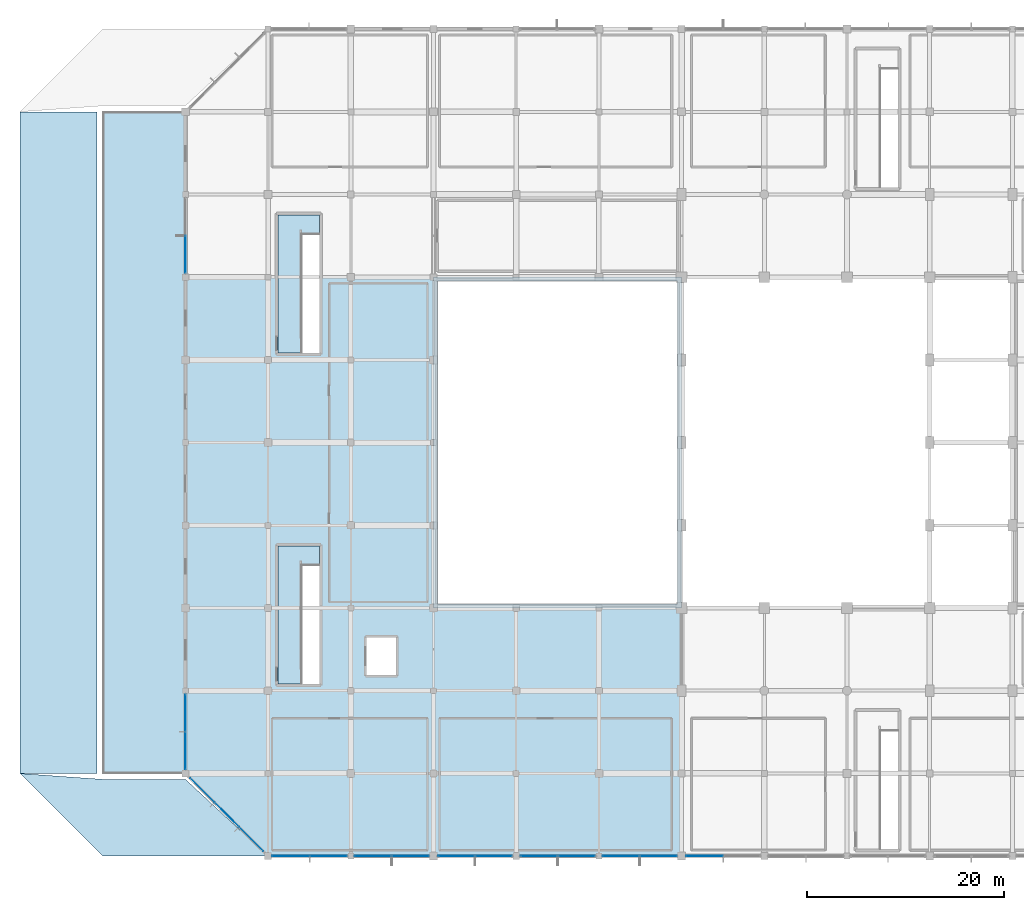
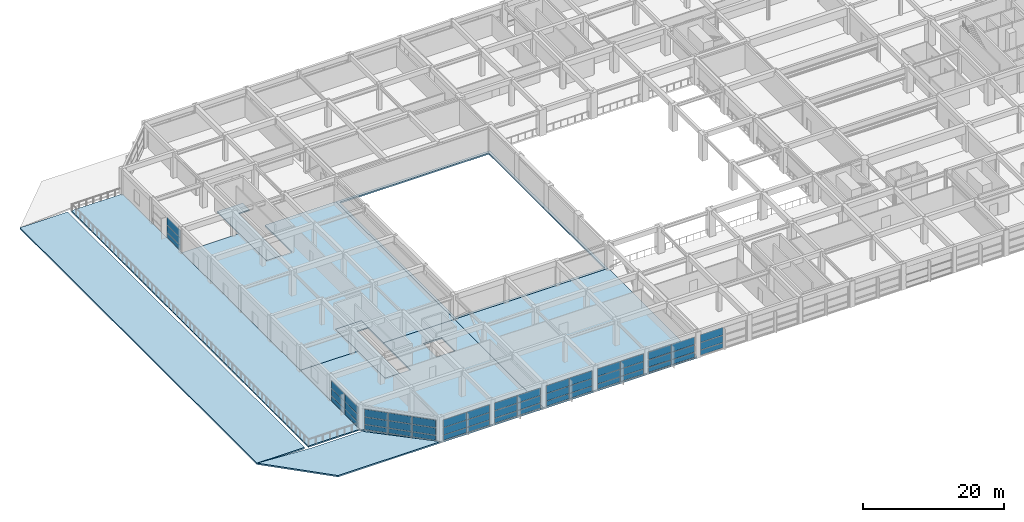
# One storey, part 36 of 56: 51 plates, 9 slabs, 9 elements without a shape of their own.
"""IFC4 building model written with IfcOpenShell, lengths in metres."""

from ifc_helpers import new_model, si_unit, direction, frame, origin, origin_2d, place, context, subcontext, project, spatial, polyline, rectangle, outline, extrude, material, layer, layer_set, type_object, element, aggregate, save


model = new_model("IFC4")

# Units and contexts
model_context = context("Model", 3, precision=1e-05, world=origin(), true_north=direction((0.0, 1.0)))
body_context = subcontext(model_context, "Body", "Model", "MODEL_VIEW")
ifc_project = project(units=[si_unit("LENGTHUNIT", "METRE"), si_unit("AREAUNIT", "SQUARE_METRE"), si_unit("VOLUMEUNIT", "CUBIC_METRE"), si_unit("PLANEANGLEUNIT", "RADIAN"), si_unit("MASSUNIT", "GRAM", prefix="KILO")], contexts=[model_context])

# Site, building, storey
site_placement = place(None, origin())
site = spatial("IfcSite", under=ifc_project, at=site_placement, CompositionType="ELEMENT")
building_placement = place(site_placement, origin())
building = spatial("IfcBuilding", under=site, at=building_placement, Name="Xuanlan Plaza Opera House", CompositionType="ELEMENT")
storey_placement = place(building_placement, frame((0.0, 0.0, 18.89990234375)))
storey = spatial("IfcBuildingStorey", under=building, at=storey_placement, Name="L04", CompositionType="ELEMENT", Elevation=18.89990234375)

# Curtain wall, plates
ifc_material_1 = material(Name="Anodised Aluminium 6063-T6 and Low-E Glass", Category="aluminium")
curtain_wall_type_1 = type_object("IfcCurtainWallType", Name="ENV-CW-CW-06", PredefinedType="USERDEFINED", material=ifc_material_1)
curtain_wall_1_placement = place(storey_placement, origin())
curtain_wall_1 = element("IfcCurtainWall", 1, at=curtain_wall_1_placement, inside=storey, type_object=curtain_wall_type_1, Name="Acoustic Glazed Wall L04-005", ObjectType="ACOUSTIC GLAZED WALL", PredefinedType="USERDEFINED")
ifc_material_2 = material(Name="Laminated Acoustic Double Glazing", Category="glass")
ifc_layer_1 = layer(ifc_material_2, 0.028076171875)
ifc_layer_set_1 = layer_set([ifc_layer_1], Name="Laminated Acoustic Double Glazing")
plate_type_1 = type_object("IfcPlateType", Name="ENV-CWP-01", PredefinedType="CURTAIN_PANEL", material=ifc_layer_set_1)
plate_1_placement = place(storey_placement, frame((61.05126953125, 16.800048828125, 0.065185546875), z_axis=(0.0, 0.0, 1.0), x_axis=(1.0, 0.0, 0.0)))
plate_1 = element("IfcPlate", 2, at=plate_1_placement, type_object=plate_type_1, Name="CW-06 panel 1.1", PredefinedType="CURTAIN_PANEL", context=body_context, shape_type="SweptSolid", body=[
    extrude(rectangle(XDim=3.732421875, YDim=0.028076171875, at=origin_2d()), origin(), (0.0, 0.0, 1.0), 0.8525390625),
])
plate_2_placement = place(storey_placement, frame((61.05126953125, 16.800048828125, 0.982421875), z_axis=(0.0, 0.0, 1.0), x_axis=(1.0, 0.0, 0.0)))
plate_2 = element("IfcPlate", 3, at=plate_2_placement, type_object=plate_type_1, Name="CW-06 panel 1.2", PredefinedType="CURTAIN_PANEL", context=body_context, shape_type="SweptSolid", body=[
    extrude(rectangle(XDim=3.732421875, YDim=0.028076171875, at=origin_2d()), origin(), (0.0, 0.0, 1.0), 1.235107421875),
])
plate_3_placement = place(storey_placement, frame((61.05126953125, 16.800048828125, 2.282470703125), z_axis=(0.0, 0.0, 1.0), x_axis=(1.0, 0.0, 0.0)))
plate_3 = element("IfcPlate", 4, at=plate_3_placement, type_object=plate_type_1, Name="CW-06 panel 1.3", PredefinedType="CURTAIN_PANEL", context=body_context, shape_type="SweptSolid", body=[
    extrude(rectangle(XDim=3.732421875, YDim=0.028076171875, at=origin_2d()), origin(), (0.0, 0.0, 1.0), 1.33251953125),
])
plate_4_placement = place(storey_placement, frame((64.8486328125, 16.800048828125, 0.065185546875), z_axis=(0.0, 0.0, 1.0), x_axis=(1.0, 0.0, 0.0)))
plate_4 = element("IfcPlate", 5, at=plate_4_placement, type_object=plate_type_1, Name="CW-06 panel 2.1", PredefinedType="CURTAIN_PANEL", context=body_context, shape_type="SweptSolid", body=[
    extrude(rectangle(XDim=3.732421875, YDim=0.028076171875, at=origin_2d()), origin(), (0.0, 0.0, 1.0), 0.8525390625),
])
plate_5_placement = place(storey_placement, frame((64.8486328125, 16.800048828125, 0.982421875), z_axis=(0.0, 0.0, 1.0), x_axis=(1.0, 0.0, 0.0)))
plate_5 = element("IfcPlate", 6, at=plate_5_placement, type_object=plate_type_1, Name="CW-06 panel 2.2", PredefinedType="CURTAIN_PANEL", context=body_context, shape_type="SweptSolid", body=[
    extrude(rectangle(XDim=3.732421875, YDim=0.028076171875, at=origin_2d()), origin(), (0.0, 0.0, 1.0), 1.235107421875),
])
plate_6_placement = place(storey_placement, frame((64.8486328125, 16.800048828125, 2.282470703125), z_axis=(0.0, 0.0, 1.0), x_axis=(1.0, 0.0, 0.0)))
plate_6 = element("IfcPlate", 7, at=plate_6_placement, type_object=plate_type_1, Name="CW-06 panel 2.3", PredefinedType="CURTAIN_PANEL", context=body_context, shape_type="SweptSolid", body=[
    extrude(rectangle(XDim=3.732421875, YDim=0.028076171875, at=origin_2d()), origin(), (0.0, 0.0, 1.0), 1.33251953125),
])
aggregate(curtain_wall_1, [plate_1, plate_2, plate_3, plate_4, plate_5, plate_6])

curtain_wall_type_2 = type_object("IfcCurtainWallType", Name="ENV-CW-CW-03", PredefinedType="USERDEFINED", material=ifc_material_1)
curtain_wall_2_placement = place(storey_placement, origin())
curtain_wall_2 = element("IfcCurtainWall", 8, at=curtain_wall_2_placement, inside=storey, type_object=curtain_wall_type_2, Name="Unitised Curtain Wall L04-045", ObjectType="UNITISED CURTAIN WALL", PredefinedType="USERDEFINED")
plate_7_placement = place(storey_placement, frame((16.800048828125, 77.913818359375, 0.065185546875), z_axis=(0.0, 0.0, 1.0), x_axis=(0.0, -1.0, 0.0)))
plate_7 = element("IfcPlate", 9, at=plate_7_placement, type_object=plate_type_1, Name="CW-03 panel 2.1", PredefinedType="CURTAIN_PANEL", context=body_context, shape_type="SweptSolid", body=[
    extrude(rectangle(XDim=3.757568359375, YDim=0.028076171875, at=origin_2d()), origin(), (0.0, 0.0, 1.0), 0.8525390625),
])
plate_8_placement = place(storey_placement, frame((16.800048828125, 77.913818359375, 0.982421875), z_axis=(0.0, 0.0, 1.0), x_axis=(0.0, -1.0, 0.0)))
plate_8 = element("IfcPlate", 10, at=plate_8_placement, type_object=plate_type_1, Name="CW-03 panel 2.2", PredefinedType="CURTAIN_PANEL", context=body_context, shape_type="SweptSolid", body=[
    extrude(rectangle(XDim=3.757568359375, YDim=0.028076171875, at=origin_2d()), origin(), (0.0, 0.0, 1.0), 1.235107421875),
])
plate_9_placement = place(storey_placement, frame((16.800048828125, 77.913818359375, 2.282470703125), z_axis=(0.0, 0.0, 1.0), x_axis=(0.0, -1.0, 0.0)))
plate_9 = element("IfcPlate", 11, at=plate_9_placement, type_object=plate_type_1, Name="CW-03 panel 2.3", PredefinedType="CURTAIN_PANEL", context=body_context, shape_type="SweptSolid", body=[
    extrude(rectangle(XDim=3.757568359375, YDim=0.028076171875, at=origin_2d()), origin(), (0.0, 0.0, 1.0), 1.33251953125),
])
aggregate(curtain_wall_2, [plate_7, plate_8, plate_9])

curtain_wall_type_3 = type_object("IfcCurtainWallType", Name="ENV-CW-CW-04", PredefinedType="USERDEFINED", material=ifc_material_1)
curtain_wall_3_placement = place(storey_placement, origin())
curtain_wall_3 = element("IfcCurtainWall", 12, at=curtain_wall_3_placement, inside=storey, type_object=curtain_wall_type_3, Name="Unitised Curtain Wall L04-002", ObjectType="UNITISED CURTAIN WALL", PredefinedType="USERDEFINED")
ifc_layer_2 = layer(ifc_material_2, 0.031982421875)
ifc_layer_set_2 = layer_set([ifc_layer_2], Name="Laminated Acoustic Double Glazing")
plate_type_2 = type_object("IfcPlateType", Name="ENV-CWP-02", PredefinedType="CURTAIN_PANEL", material=ifc_layer_set_2)
plate_10_placement = place(storey_placement, frame((35.853759765625, 16.800048828125, 0.090087890625), z_axis=(0.0, 0.0, 1.0), x_axis=(1.0, 0.0, 0.0)))
plate_10 = element("IfcPlate", 13, at=plate_10_placement, type_object=plate_type_2, Name="CW-04 panel 1.1", PredefinedType="CURTAIN_PANEL", context=body_context, shape_type="SweptSolid", body=[
    extrude(rectangle(XDim=3.717529296875, YDim=0.031982421875, at=origin_2d()), origin(), (0.0, 0.0, 1.0), 0.81494140625),
])
plate_11_placement = place(storey_placement, frame((35.853759765625, 16.800048828125, 0.9951171875), z_axis=(0.0, 0.0, 1.0), x_axis=(1.0, 0.0, 0.0)))
plate_11 = element("IfcPlate", 14, at=plate_11_placement, type_object=plate_type_2, Name="CW-04 panel 1.2", PredefinedType="CURTAIN_PANEL", context=body_context, shape_type="SweptSolid", body=[
    extrude(rectangle(XDim=3.717529296875, YDim=0.031982421875, at=origin_2d()), origin(), (0.0, 0.0, 1.0), 1.2099609375),
])
plate_12_placement = place(storey_placement, frame((35.853759765625, 16.800048828125, 2.295166015625), z_axis=(0.0, 0.0, 1.0), x_axis=(1.0, 0.0, 0.0)))
plate_12 = element("IfcPlate", 15, at=plate_12_placement, type_object=plate_type_2, Name="CW-04 panel 1.3", PredefinedType="CURTAIN_PANEL", context=body_context, shape_type="SweptSolid", body=[
    extrude(rectangle(XDim=3.717529296875, YDim=0.031982421875, at=origin_2d()), origin(), (0.0, 0.0, 1.0), 1.294921875),
])
plate_13_placement = place(storey_placement, frame((39.646240234375, 16.800048828125, 0.090087890625), z_axis=(0.0, 0.0, 1.0), x_axis=(1.0, 0.0, 0.0)))
plate_13 = element("IfcPlate", 16, at=plate_13_placement, type_object=plate_type_2, Name="CW-04 panel 2.1", PredefinedType="CURTAIN_PANEL", context=body_context, shape_type="SweptSolid", body=[
    extrude(rectangle(XDim=3.717529296875, YDim=0.031982421875, at=origin_2d()), origin(), (0.0, 0.0, 1.0), 0.81494140625),
])
plate_14_placement = place(storey_placement, frame((39.646240234375, 16.800048828125, 0.9951171875), z_axis=(0.0, 0.0, 1.0), x_axis=(1.0, 0.0, 0.0)))
plate_14 = element("IfcPlate", 17, at=plate_14_placement, type_object=plate_type_2, Name="CW-04 panel 2.2", PredefinedType="CURTAIN_PANEL", context=body_context, shape_type="SweptSolid", body=[
    extrude(rectangle(XDim=3.717529296875, YDim=0.031982421875, at=origin_2d()), origin(), (0.0, 0.0, 1.0), 1.2099609375),
])
plate_15_placement = place(storey_placement, frame((39.646240234375, 16.800048828125, 2.295166015625), z_axis=(0.0, 0.0, 1.0), x_axis=(1.0, 0.0, 0.0)))
plate_15 = element("IfcPlate", 18, at=plate_15_placement, type_object=plate_type_2, Name="CW-04 panel 2.3", PredefinedType="CURTAIN_PANEL", context=body_context, shape_type="SweptSolid", body=[
    extrude(rectangle(XDim=3.717529296875, YDim=0.031982421875, at=origin_2d()), origin(), (0.0, 0.0, 1.0), 1.294921875),
])
aggregate(curtain_wall_3, [plate_10, plate_11, plate_12, plate_13, plate_14, plate_15])

curtain_wall_type_4 = type_object("IfcCurtainWallType", Name="ENV-CW-CW-02", PredefinedType="USERDEFINED", material=ifc_material_1)
curtain_wall_4_placement = place(storey_placement, origin())
curtain_wall_4 = element("IfcCurtainWall", 19, at=curtain_wall_4_placement, inside=storey, type_object=curtain_wall_type_4, Name="Unitised Curtain Wall L04-052", ObjectType="UNITISED CURTAIN WALL", PredefinedType="USERDEFINED")
plate_16_placement = place(storey_placement, frame((18.5126953125, 23.4873046875, 0.090087890625), z_axis=(0.0, 0.0, 1.0), x_axis=(0.707106781187, -0.707106781187, 0.0)))
plate_16 = element("IfcPlate", 20, at=plate_16_placement, type_object=plate_type_2, Name="CW-02 panel 1.1", PredefinedType="CURTAIN_PANEL", context=body_context, shape_type="SweptSolid", body=[
    extrude(rectangle(XDim=3.424072265625, YDim=0.031982421875, at=origin_2d()), origin(), (0.0, 0.0, 1.0), 0.81494140625),
])
plate_17_placement = place(storey_placement, frame((18.5126953125, 23.4873046875, 0.9951171875), z_axis=(0.0, 0.0, 1.0), x_axis=(0.707106781187, -0.707106781187, 0.0)))
plate_17 = element("IfcPlate", 21, at=plate_17_placement, type_object=plate_type_2, Name="CW-02 panel 1.2", PredefinedType="CURTAIN_PANEL", context=body_context, shape_type="SweptSolid", body=[
    extrude(rectangle(XDim=3.424072265625, YDim=0.031982421875, at=origin_2d()), origin(), (0.0, 0.0, 1.0), 1.2099609375),
])
plate_18_placement = place(storey_placement, frame((18.5126953125, 23.4873046875, 2.295166015625), z_axis=(0.0, 0.0, 1.0), x_axis=(0.707106781187, -0.707106781187, 0.0)))
plate_18 = element("IfcPlate", 22, at=plate_18_placement, type_object=plate_type_2, Name="CW-02 panel 1.3", PredefinedType="CURTAIN_PANEL", context=body_context, shape_type="SweptSolid", body=[
    extrude(rectangle(XDim=3.424072265625, YDim=0.031982421875, at=origin_2d()), origin(), (0.0, 0.0, 1.0), 1.294921875),
])
plate_19_placement = place(storey_placement, frame((21.0, 21.0, 0.090087890625), z_axis=(0.0, 0.0, 1.0), x_axis=(0.707106781187, -0.707106781187, 0.0)))
plate_19 = element("IfcPlate", 23, at=plate_19_placement, type_object=plate_type_2, Name="CW-02 panel 2.1", PredefinedType="CURTAIN_PANEL", context=body_context, shape_type="SweptSolid", body=[
    extrude(rectangle(XDim=3.46142578125, YDim=0.031982421875, at=origin_2d()), origin(), (0.0, 0.0, 1.0), 0.81494140625),
])
plate_20_placement = place(storey_placement, frame((21.0, 21.0, 0.9951171875), z_axis=(0.0, 0.0, 1.0), x_axis=(0.707106781187, -0.707106781187, 0.0)))
plate_20 = element("IfcPlate", 24, at=plate_20_placement, type_object=plate_type_2, Name="CW-02 panel 2.2", PredefinedType="CURTAIN_PANEL", context=body_context, shape_type="SweptSolid", body=[
    extrude(rectangle(XDim=3.46142578125, YDim=0.031982421875, at=origin_2d()), origin(), (0.0, 0.0, 1.0), 1.2099609375),
])
plate_21_placement = place(storey_placement, frame((21.0, 21.0, 2.295166015625), z_axis=(0.0, 0.0, 1.0), x_axis=(0.707106781187, -0.707106781187, 0.0)))
plate_21 = element("IfcPlate", 25, at=plate_21_placement, type_object=plate_type_2, Name="CW-02 panel 2.3", PredefinedType="CURTAIN_PANEL", context=body_context, shape_type="SweptSolid", body=[
    extrude(rectangle(XDim=3.46142578125, YDim=0.031982421875, at=origin_2d()), origin(), (0.0, 0.0, 1.0), 1.294921875),
])
plate_22_placement = place(storey_placement, frame((23.4873046875, 18.5126953125, 0.090087890625), z_axis=(0.0, 0.0, 1.0), x_axis=(0.707106781187, -0.707106781187, 0.0)))
plate_22 = element("IfcPlate", 26, at=plate_22_placement, type_object=plate_type_2, Name="CW-02 panel 3.1", PredefinedType="CURTAIN_PANEL", context=body_context, shape_type="SweptSolid", body=[
    extrude(rectangle(XDim=3.424072265625, YDim=0.031982421875, at=origin_2d()), origin(), (0.0, 0.0, 1.0), 0.81494140625),
])
plate_23_placement = place(storey_placement, frame((23.4873046875, 18.5126953125, 0.9951171875), z_axis=(0.0, 0.0, 1.0), x_axis=(0.707106781187, -0.707106781187, 0.0)))
plate_23 = element("IfcPlate", 27, at=plate_23_placement, type_object=plate_type_2, Name="CW-02 panel 3.2", PredefinedType="CURTAIN_PANEL", context=body_context, shape_type="SweptSolid", body=[
    extrude(rectangle(XDim=3.424072265625, YDim=0.031982421875, at=origin_2d()), origin(), (0.0, 0.0, 1.0), 1.2099609375),
])
plate_24_placement = place(storey_placement, frame((23.4873046875, 18.5126953125, 2.295166015625), z_axis=(0.0, 0.0, 1.0), x_axis=(0.707106781187, -0.707106781187, 0.0)))
plate_24 = element("IfcPlate", 28, at=plate_24_placement, type_object=plate_type_2, Name="CW-02 panel 3.3", PredefinedType="CURTAIN_PANEL", context=body_context, shape_type="SweptSolid", body=[
    extrude(rectangle(XDim=3.424072265625, YDim=0.031982421875, at=origin_2d()), origin(), (0.0, 0.0, 1.0), 1.294921875),
])
aggregate(curtain_wall_4, [plate_16, plate_17, plate_18, plate_19, plate_20, plate_21, plate_22, plate_23, plate_24])

curtain_wall_5_placement = place(storey_placement, origin())
curtain_wall_5 = element("IfcCurtainWall", 29, at=curtain_wall_5_placement, inside=storey, type_object=curtain_wall_type_4, Name="Unitised Curtain Wall L04-004", ObjectType="UNITISED CURTAIN WALL", PredefinedType="USERDEFINED")
ifc_layer_3 = layer(ifc_material_2, 0.035888671875)
ifc_layer_set_3 = layer_set([ifc_layer_3], Name="Laminated Acoustic Double Glazing")
plate_type_3 = type_object("IfcPlateType", Name="ENV-CWP-03", PredefinedType="CURTAIN_PANEL", material=ifc_layer_set_3)
plate_25_placement = place(storey_placement, frame((52.719970703125, 16.800048828125, 0.080078125), z_axis=(0.0, 0.0, 1.0), x_axis=(1.0, 0.0, 0.0)))
plate_25 = element("IfcPlate", 30, at=plate_25_placement, type_object=plate_type_3, Name="CW-02 panel 1.1", PredefinedType="CURTAIN_PANEL", context=body_context, shape_type="SweptSolid", body=[
    extrude(rectangle(XDim=3.719970703125, YDim=0.035888671875, at=origin_2d()), origin(), (0.0, 0.0, 1.0), 0.830078125),
])
plate_26_placement = place(storey_placement, frame((52.719970703125, 16.800048828125, 0.990234375), z_axis=(0.0, 0.0, 1.0), x_axis=(1.0, 0.0, 0.0)))
plate_26 = element("IfcPlate", 31, at=plate_26_placement, type_object=plate_type_3, Name="CW-02 panel 1.2", PredefinedType="CURTAIN_PANEL", context=body_context, shape_type="SweptSolid", body=[
    extrude(rectangle(XDim=3.719970703125, YDim=0.035888671875, at=origin_2d()), origin(), (0.0, 0.0, 1.0), 1.219970703125),
])
plate_27_placement = place(storey_placement, frame((52.719970703125, 16.800048828125, 2.2900390625), z_axis=(0.0, 0.0, 1.0), x_axis=(1.0, 0.0, 0.0)))
plate_27 = element("IfcPlate", 32, at=plate_27_placement, type_object=plate_type_3, Name="CW-02 panel 1.3", PredefinedType="CURTAIN_PANEL", context=body_context, shape_type="SweptSolid", body=[
    extrude(rectangle(XDim=3.719970703125, YDim=0.035888671875, at=origin_2d()), origin(), (0.0, 0.0, 1.0), 1.31005859375),
])
plate_28_placement = place(storey_placement, frame((56.530029296875, 16.800048828125, 0.080078125), z_axis=(0.0, 0.0, 1.0), x_axis=(1.0, 0.0, 0.0)))
plate_28 = element("IfcPlate", 33, at=plate_28_placement, type_object=plate_type_3, Name="CW-02 panel 2.1", PredefinedType="CURTAIN_PANEL", context=body_context, shape_type="SweptSolid", body=[
    extrude(rectangle(XDim=3.719970703125, YDim=0.035888671875, at=origin_2d()), origin(), (0.0, 0.0, 1.0), 0.830078125),
])
plate_29_placement = place(storey_placement, frame((56.530029296875, 16.800048828125, 0.990234375), z_axis=(0.0, 0.0, 1.0), x_axis=(1.0, 0.0, 0.0)))
plate_29 = element("IfcPlate", 34, at=plate_29_placement, type_object=plate_type_3, Name="CW-02 panel 2.2", PredefinedType="CURTAIN_PANEL", context=body_context, shape_type="SweptSolid", body=[
    extrude(rectangle(XDim=3.719970703125, YDim=0.035888671875, at=origin_2d()), origin(), (0.0, 0.0, 1.0), 1.219970703125),
])
plate_30_placement = place(storey_placement, frame((56.530029296875, 16.800048828125, 2.2900390625), z_axis=(0.0, 0.0, 1.0), x_axis=(1.0, 0.0, 0.0)))
plate_30 = element("IfcPlate", 35, at=plate_30_placement, type_object=plate_type_3, Name="CW-02 panel 2.3", PredefinedType="CURTAIN_PANEL", context=body_context, shape_type="SweptSolid", body=[
    extrude(rectangle(XDim=3.719970703125, YDim=0.035888671875, at=origin_2d()), origin(), (0.0, 0.0, 1.0), 1.31005859375),
])
aggregate(curtain_wall_5, [plate_25, plate_26, plate_27, plate_28, plate_29, plate_30])

curtain_wall_6_placement = place(storey_placement, origin())
curtain_wall_6 = element("IfcCurtainWall", 36, at=curtain_wall_6_placement, inside=storey, type_object=curtain_wall_type_2, Name="Unitised Curtain Wall L04-001", ObjectType="UNITISED CURTAIN WALL", PredefinedType="USERDEFINED")
ifc_layer_4 = layer(ifc_material_2, 0.0400390625)
ifc_layer_set_4 = layer_set([ifc_layer_4], Name="Laminated Acoustic Double Glazing")
plate_type_4 = type_object("IfcPlateType", Name="ENV-CWP-04", PredefinedType="CURTAIN_PANEL", material=ifc_layer_set_4)
plate_31_placement = place(storey_placement, frame((27.514892578125, 16.800048828125, 0.0751953125), z_axis=(0.0, 0.0, 1.0), x_axis=(1.0, 0.0, 0.0)))
plate_31 = element("IfcPlate", 37, at=plate_31_placement, type_object=plate_type_4, Name="CW-03 panel 1.1", PredefinedType="CURTAIN_PANEL", context=body_context, shape_type="SweptSolid", body=[
    extrude(rectangle(XDim=3.75, YDim=0.0400390625, at=origin_2d()), origin(), (0.0, 0.0, 1.0), 0.83740234375),
])
plate_32_placement = place(storey_placement, frame((27.514892578125, 16.800048828125, 0.987548828125), z_axis=(0.0, 0.0, 1.0), x_axis=(1.0, 0.0, 0.0)))
plate_32 = element("IfcPlate", 38, at=plate_32_placement, type_object=plate_type_4, Name="CW-03 panel 1.2", PredefinedType="CURTAIN_PANEL", context=body_context, shape_type="SweptSolid", body=[
    extrude(rectangle(XDim=3.75, YDim=0.0400390625, at=origin_2d()), origin(), (0.0, 0.0, 1.0), 1.22509765625),
])
plate_33_placement = place(storey_placement, frame((27.514892578125, 16.800048828125, 2.28759765625), z_axis=(0.0, 0.0, 1.0), x_axis=(1.0, 0.0, 0.0)))
plate_33 = element("IfcPlate", 39, at=plate_33_placement, type_object=plate_type_4, Name="CW-03 panel 1.3", PredefinedType="CURTAIN_PANEL", context=body_context, shape_type="SweptSolid", body=[
    extrude(rectangle(XDim=3.75, YDim=0.0400390625, at=origin_2d()), origin(), (0.0, 0.0, 1.0), 1.3173828125),
])
plate_34_placement = place(storey_placement, frame((31.3349609375, 16.800048828125, 0.0751953125), z_axis=(0.0, 0.0, 1.0), x_axis=(1.0, 0.0, 0.0)))
plate_34 = element("IfcPlate", 40, at=plate_34_placement, type_object=plate_type_4, Name="CW-03 panel 2.1", PredefinedType="CURTAIN_PANEL", context=body_context, shape_type="SweptSolid", body=[
    extrude(rectangle(XDim=3.75, YDim=0.0400390625, at=origin_2d()), origin(), (0.0, 0.0, 1.0), 0.83740234375),
])
plate_35_placement = place(storey_placement, frame((31.3349609375, 16.800048828125, 0.987548828125), z_axis=(0.0, 0.0, 1.0), x_axis=(1.0, 0.0, 0.0)))
plate_35 = element("IfcPlate", 41, at=plate_35_placement, type_object=plate_type_4, Name="CW-03 panel 2.2", PredefinedType="CURTAIN_PANEL", context=body_context, shape_type="SweptSolid", body=[
    extrude(rectangle(XDim=3.75, YDim=0.0400390625, at=origin_2d()), origin(), (0.0, 0.0, 1.0), 1.22509765625),
])
plate_36_placement = place(storey_placement, frame((31.3349609375, 16.800048828125, 2.28759765625), z_axis=(0.0, 0.0, 1.0), x_axis=(1.0, 0.0, 0.0)))
plate_36 = element("IfcPlate", 42, at=plate_36_placement, type_object=plate_type_4, Name="CW-03 panel 2.3", PredefinedType="CURTAIN_PANEL", context=body_context, shape_type="SweptSolid", body=[
    extrude(rectangle(XDim=3.75, YDim=0.0400390625, at=origin_2d()), origin(), (0.0, 0.0, 1.0), 1.3173828125),
])
aggregate(curtain_wall_6, [plate_31, plate_32, plate_33, plate_34, plate_35, plate_36])

curtain_wall_type_5 = type_object("IfcCurtainWallType", Name="ENV-CW-CW-05", PredefinedType="USERDEFINED", material=ifc_material_1)
curtain_wall_7_placement = place(storey_placement, origin())
curtain_wall_7 = element("IfcCurtainWall", 43, at=curtain_wall_7_placement, inside=storey, type_object=curtain_wall_type_5, Name="Acoustic Glazed Wall L04-006", ObjectType="ACOUSTIC GLAZED WALL", PredefinedType="USERDEFINED")
plate_37_placement = place(storey_placement, frame((69.5400390625, 16.800048828125, 0.0751953125), z_axis=(0.0, 0.0, 1.0), x_axis=(1.0, 0.0, 0.0)))
plate_37 = element("IfcPlate", 44, at=plate_37_placement, type_object=plate_type_4, Name="CW-05 panel 1.1", PredefinedType="CURTAIN_PANEL", context=body_context, shape_type="SweptSolid", body=[
    extrude(rectangle(XDim=3.699951171875, YDim=0.0400390625, at=origin_2d()), origin(), (0.0, 0.0, 1.0), 0.83740234375),
])
plate_38_placement = place(storey_placement, frame((69.5400390625, 16.800048828125, 0.987548828125), z_axis=(0.0, 0.0, 1.0), x_axis=(1.0, 0.0, 0.0)))
plate_38 = element("IfcPlate", 45, at=plate_38_placement, type_object=plate_type_4, Name="CW-05 panel 1.2", PredefinedType="CURTAIN_PANEL", context=body_context, shape_type="SweptSolid", body=[
    extrude(rectangle(XDim=3.699951171875, YDim=0.0400390625, at=origin_2d()), origin(), (0.0, 0.0, 1.0), 1.22509765625),
])
plate_39_placement = place(storey_placement, frame((69.5400390625, 16.800048828125, 2.28759765625), z_axis=(0.0, 0.0, 1.0), x_axis=(1.0, 0.0, 0.0)))
plate_39 = element("IfcPlate", 46, at=plate_39_placement, type_object=plate_type_4, Name="CW-05 panel 1.3", PredefinedType="CURTAIN_PANEL", context=body_context, shape_type="SweptSolid", body=[
    extrude(rectangle(XDim=3.699951171875, YDim=0.0400390625, at=origin_2d()), origin(), (0.0, 0.0, 1.0), 1.3173828125),
])
aggregate(curtain_wall_7, [plate_37, plate_38, plate_39])

curtain_wall_type_6 = type_object("IfcCurtainWallType", Name="ENV-CW-CW-01", PredefinedType="USERDEFINED", material=ifc_material_1)
curtain_wall_8_placement = place(storey_placement, origin())
curtain_wall_8 = element("IfcCurtainWall", 47, at=curtain_wall_8_placement, inside=storey, type_object=curtain_wall_type_6, Name="Unitised Curtain Wall L04-051", ObjectType="UNITISED CURTAIN WALL", PredefinedType="USERDEFINED")
plate_40_placement = place(storey_placement, frame((16.800048828125, 31.3349609375, 0.0751953125), z_axis=(0.0, 0.0, 1.0), x_axis=(0.0, -1.0, 0.0)))
plate_40 = element("IfcPlate", 48, at=plate_40_placement, type_object=plate_type_4, Name="CW-01 panel 1.1", PredefinedType="CURTAIN_PANEL", context=body_context, shape_type="SweptSolid", body=[
    extrude(rectangle(XDim=3.75, YDim=0.0400390625, at=origin_2d()), origin(), (0.0, 0.0, 1.0), 0.83740234375),
])
plate_41_placement = place(storey_placement, frame((16.800048828125, 31.3349609375, 0.987548828125), z_axis=(0.0, 0.0, 1.0), x_axis=(0.0, -1.0, 0.0)))
plate_41 = element("IfcPlate", 49, at=plate_41_placement, type_object=plate_type_4, Name="CW-01 panel 1.2", PredefinedType="CURTAIN_PANEL", context=body_context, shape_type="SweptSolid", body=[
    extrude(rectangle(XDim=3.75, YDim=0.0400390625, at=origin_2d()), origin(), (0.0, 0.0, 1.0), 1.22509765625),
])
plate_42_placement = place(storey_placement, frame((16.800048828125, 31.3349609375, 2.28759765625), z_axis=(0.0, 0.0, 1.0), x_axis=(0.0, -1.0, 0.0)))
plate_42 = element("IfcPlate", 50, at=plate_42_placement, type_object=plate_type_4, Name="CW-01 panel 1.3", PredefinedType="CURTAIN_PANEL", context=body_context, shape_type="SweptSolid", body=[
    extrude(rectangle(XDim=3.75, YDim=0.0400390625, at=origin_2d()), origin(), (0.0, 0.0, 1.0), 1.3173828125),
])
plate_43_placement = place(storey_placement, frame((16.800048828125, 27.514892578125, 0.0751953125), z_axis=(0.0, 0.0, 1.0), x_axis=(0.0, -1.0, 0.0)))
plate_43 = element("IfcPlate", 51, at=plate_43_placement, type_object=plate_type_4, Name="CW-01 panel 2.1", PredefinedType="CURTAIN_PANEL", context=body_context, shape_type="SweptSolid", body=[
    extrude(rectangle(XDim=3.75, YDim=0.0400390625, at=origin_2d()), origin(), (0.0, 0.0, 1.0), 0.83740234375),
])
plate_44_placement = place(storey_placement, frame((16.800048828125, 27.514892578125, 0.987548828125), z_axis=(0.0, 0.0, 1.0), x_axis=(0.0, -1.0, 0.0)))
plate_44 = element("IfcPlate", 52, at=plate_44_placement, type_object=plate_type_4, Name="CW-01 panel 2.2", PredefinedType="CURTAIN_PANEL", context=body_context, shape_type="SweptSolid", body=[
    extrude(rectangle(XDim=3.75, YDim=0.0400390625, at=origin_2d()), origin(), (0.0, 0.0, 1.0), 1.22509765625),
])
plate_45_placement = place(storey_placement, frame((16.800048828125, 27.514892578125, 2.28759765625), z_axis=(0.0, 0.0, 1.0), x_axis=(0.0, -1.0, 0.0)))
plate_45 = element("IfcPlate", 53, at=plate_45_placement, type_object=plate_type_4, Name="CW-01 panel 2.3", PredefinedType="CURTAIN_PANEL", context=body_context, shape_type="SweptSolid", body=[
    extrude(rectangle(XDim=3.75, YDim=0.0400390625, at=origin_2d()), origin(), (0.0, 0.0, 1.0), 1.3173828125),
])
aggregate(curtain_wall_8, [plate_40, plate_41, plate_42, plate_43, plate_44, plate_45])

curtain_wall_9_placement = place(storey_placement, origin())
curtain_wall_9 = element("IfcCurtainWall", 54, at=curtain_wall_9_placement, inside=storey, type_object=curtain_wall_type_6, Name="Unitised Curtain Wall L04-003", ObjectType="UNITISED CURTAIN WALL", PredefinedType="USERDEFINED")
ifc_layer_5 = layer(ifc_material_2, 0.0439453125)
ifc_layer_set_5 = layer_set([ifc_layer_5], Name="Laminated Acoustic Double Glazing")
plate_type_5 = type_object("IfcPlateType", Name="ENV-CWP-05", PredefinedType="CURTAIN_PANEL", material=ifc_layer_set_5)
plate_46_placement = place(storey_placement, frame((44.342529296875, 16.800048828125, 0.0703125), z_axis=(0.0, 0.0, 1.0), x_axis=(1.0, 0.0, 0.0)))
plate_46 = element("IfcPlate", 55, at=plate_46_placement, type_object=plate_type_5, Name="CW-01 panel 1.1", PredefinedType="CURTAIN_PANEL", context=body_context, shape_type="SweptSolid", body=[
    extrude(rectangle(XDim=3.68505859375, YDim=0.0439453125, at=origin_2d()), origin(), (0.0, 0.0, 1.0), 0.844970703125),
])
plate_47_placement = place(storey_placement, frame((44.342529296875, 16.800048828125, 0.985107421875), z_axis=(0.0, 0.0, 1.0), x_axis=(1.0, 0.0, 0.0)))
plate_47 = element("IfcPlate", 56, at=plate_47_placement, type_object=plate_type_5, Name="CW-01 panel 1.2", PredefinedType="CURTAIN_PANEL", context=body_context, shape_type="SweptSolid", body=[
    extrude(rectangle(XDim=3.68505859375, YDim=0.0439453125, at=origin_2d()), origin(), (0.0, 0.0, 1.0), 1.22998046875),
])
plate_48_placement = place(storey_placement, frame((44.342529296875, 16.800048828125, 2.28515625), z_axis=(0.0, 0.0, 1.0), x_axis=(1.0, 0.0, 0.0)))
plate_48 = element("IfcPlate", 57, at=plate_48_placement, type_object=plate_type_5, Name="CW-01 panel 1.3", PredefinedType="CURTAIN_PANEL", context=body_context, shape_type="SweptSolid", body=[
    extrude(rectangle(XDim=3.68505859375, YDim=0.0439453125, at=origin_2d()), origin(), (0.0, 0.0, 1.0), 1.324951171875),
])
plate_49_placement = place(storey_placement, frame((48.107421875, 16.800048828125, 0.0703125), z_axis=(0.0, 0.0, 1.0), x_axis=(1.0, 0.0, 0.0)))
plate_49 = element("IfcPlate", 58, at=plate_49_placement, type_object=plate_type_5, Name="CW-01 panel 2.1", PredefinedType="CURTAIN_PANEL", context=body_context, shape_type="SweptSolid", body=[
    extrude(rectangle(XDim=3.68505859375, YDim=0.0439453125, at=origin_2d()), origin(), (0.0, 0.0, 1.0), 0.844970703125),
])
plate_50_placement = place(storey_placement, frame((48.107421875, 16.800048828125, 0.985107421875), z_axis=(0.0, 0.0, 1.0), x_axis=(1.0, 0.0, 0.0)))
plate_50 = element("IfcPlate", 59, at=plate_50_placement, type_object=plate_type_5, Name="CW-01 panel 2.2", PredefinedType="CURTAIN_PANEL", context=body_context, shape_type="SweptSolid", body=[
    extrude(rectangle(XDim=3.68505859375, YDim=0.0439453125, at=origin_2d()), origin(), (0.0, 0.0, 1.0), 1.22998046875),
])
plate_51_placement = place(storey_placement, frame((48.107421875, 16.800048828125, 2.28515625), z_axis=(0.0, 0.0, 1.0), x_axis=(1.0, 0.0, 0.0)))
plate_51 = element("IfcPlate", 60, at=plate_51_placement, type_object=plate_type_5, Name="CW-01 panel 2.3", PredefinedType="CURTAIN_PANEL", context=body_context, shape_type="SweptSolid", body=[
    extrude(rectangle(XDim=3.68505859375, YDim=0.0439453125, at=origin_2d()), origin(), (0.0, 0.0, 1.0), 1.324951171875),
])
aggregate(curtain_wall_9, [plate_46, plate_47, plate_48, plate_49, plate_50, plate_51])

# Slabs
ifc_material_3 = material(Name="Concrete C40", Category="concrete")
ifc_layer_6 = layer(ifc_material_3, 0.199951171875)
ifc_layer_set_6 = layer_set([ifc_layer_6], Name="Concrete C40")
slab_type_1 = type_object("IfcSlabType", Name="INT-SLB-LND-20", PredefinedType="LANDING", material=ifc_layer_set_6)
slab_1_placement = place(storey_placement, frame((0.0, 0.0, -0.199951171875)))
element("IfcSlab", 61, at=slab_1_placement, inside=storey, type_object=slab_type_1, Name="Top Stairwell Arrival Landing ST-P1 L04", PredefinedType="LANDING", context=body_context, shape_type="SweptSolid", body=[
    extrude(outline(polyline([(26.199951171875, 34.300048828125), (28.60009765625, 34.300048828125), (28.60009765625, 46.375), (30.39990234375, 46.375), (30.39990234375, 48.300048828125), (26.199951171875, 48.300048828125), (26.199951171875, 34.300048828125)])), origin(), (0.0, 0.0, 1.0), 0.199951171875),
])
slab_2_placement = place(storey_placement, frame((0.0, 0.0, -0.199951171875)))
element("IfcSlab", 62, at=slab_2_placement, inside=storey, type_object=slab_type_1, Name="Top Stairwell Arrival Landing ST-P2 L04", PredefinedType="LANDING", context=body_context, shape_type="SweptSolid", body=[
    extrude(outline(polyline([(26.199951171875, 67.89990234375), (28.60009765625, 67.89990234375), (28.60009765625, 79.97509765625), (30.39990234375, 79.97509765625), (30.39990234375, 81.89990234375), (26.199951171875, 81.89990234375), (26.199951171875, 67.89990234375)])), origin(), (0.0, 0.0, 1.0), 0.199951171875),
])
ifc_layer_7 = layer(ifc_material_3, 0.25)
ifc_layer_set_7 = layer_set([ifc_layer_7], Name="Concrete C40")
slab_type_2 = type_object("IfcSlabType", Name="STR-SLB-RF-01", PredefinedType="ROOF", material=ifc_layer_set_7)
slab_3_placement = place(storey_placement, frame((0.0, 0.0, -0.25)))
element("IfcSlab", 63, at=slab_3_placement, inside=storey, type_object=slab_type_2, Name="West Backstage Setback Roof Slab", PredefinedType="ROOF", context=body_context, shape_type="SweptSolid", body=[
    extrude(outline(polyline([(0.0, 25.199951171875), (7.800048828125, 25.199951171875), (7.800048828125, 92.39990234375), (0.0, 92.39990234375), (0.0, 25.199951171875)])), origin(), (0.0, 0.0, 1.0), 0.25),
])
slab_4_placement = place(storey_placement, frame((0.0, 0.0, -0.25)))
element("IfcSlab", 64, at=slab_4_placement, inside=storey, type_object=slab_type_2, Name="South-West Upper Setback Roof Slab", PredefinedType="ROOF", context=body_context, shape_type="SweptSolid", body=[
    extrude(outline(polyline([(0.0, 25.199951171875), (8.39990234375, 16.800048828125), (25.199951171875, 16.800048828125), (16.800048828125, 24.60009765625), (8.39990234375, 24.60009765625), (0.0, 25.199951171875)])), origin(), (0.0, 0.0, 1.0), 0.25),
])
ifc_layer_8 = layer(ifc_material_3, 0.260009765625)
ifc_layer_set_8 = layer_set([ifc_layer_8], Name="Concrete C40")
slab_type_3 = type_object("IfcSlabType", Name="STR-SLB-SL-02", PredefinedType="FLOOR", material=ifc_layer_set_8)
slab_5_placement = place(storey_placement, frame((0.0, 0.0, -0.260009765625)))
element("IfcSlab", 65, at=slab_5_placement, inside=storey, type_object=slab_type_3, Name="Storey L04 Structural Floor Slab Zone 01", PredefinedType="FLOOR", context=body_context, shape_type="SweptSolid", body=[
    extrude(outline(polyline([(25.199951171875, 16.800048828125), (16.800048828125, 25.199951171875), (16.800048828125, 42.0), (26.199951171875, 42.0), (26.199951171875, 34.300048828125), (30.39990234375, 34.300048828125), (30.39990234375, 42.0), (42.0, 42.0), (42.0, 16.800048828125), (25.199951171875, 16.800048828125)]), holes=[polyline([(35.199951171875, 35.199951171875), (38.199951171875, 35.199951171875), (38.199951171875, 39.0), (35.199951171875, 39.0), (35.199951171875, 35.199951171875)])]), origin(), (0.0, 0.0, 1.0), 0.260009765625),
])
slab_6_placement = place(storey_placement, frame((0.0, 0.0, -0.260009765625)))
element("IfcSlab", 66, at=slab_6_placement, inside=storey, type_object=slab_type_3, Name="Storey L04 Structural Floor Slab Zone 02", PredefinedType="FLOOR", context=body_context, shape_type="SweptSolid", body=[
    extrude(outline(polyline([(16.800048828125, 75.60009765625), (26.199951171875, 75.60009765625), (26.199951171875, 67.89990234375), (30.39990234375, 67.89990234375), (30.39990234375, 75.60009765625), (42.0, 75.60009765625), (42.0, 42.0), (30.39990234375, 42.0), (30.39990234375, 48.300048828125), (26.199951171875, 48.300048828125), (26.199951171875, 42.0), (16.800048828125, 42.0), (16.800048828125, 75.60009765625)])), origin(), (0.0, 0.0, 1.0), 0.260009765625),
])
slab_7_placement = place(storey_placement, frame((0.0, 0.0, -0.260009765625)))
element("IfcSlab", 67, at=slab_7_placement, inside=storey, type_object=slab_type_3, Name="Storey L04 Structural Floor Slab Zone 04", PredefinedType="FLOOR", context=body_context, shape_type="SweptSolid", body=[
    extrude(outline(polyline([(42.0, 16.800048828125), (42.0, 42.0), (67.199951171875, 42.0), (67.199951171875, 16.800048828125), (42.0, 16.800048828125)])), origin(), (0.0, 0.0, 1.0), 0.260009765625),
])
slab_8_placement = place(storey_placement, frame((0.0, 0.0, -0.260009765625)))
element("IfcSlab", 68, at=slab_8_placement, inside=storey, type_object=slab_type_3, Name="Storey L04 Structural Floor Slab Zone 05", PredefinedType="FLOOR", context=body_context, shape_type="SweptSolid", body=[
    extrude(outline(polyline([(67.199951171875, 42.0), (42.0, 42.0), (42.0, 75.60009765625), (67.199951171875, 75.60009765625), (67.199951171875, 42.0)]), holes=[polyline([(42.39990234375, 75.199951171875), (42.39990234375, 42.39990234375), (66.800048828125, 42.39990234375), (66.800048828125, 75.199951171875), (42.39990234375, 75.199951171875)])]), origin(), (0.0, 0.0, 1.0), 0.260009765625),
])
ifc_layer_9 = layer(ifc_material_3, 0.219970703125)
ifc_layer_set_9 = layer_set([ifc_layer_9], Name="Concrete C40")
slab_type_4 = type_object("IfcSlabType", Name="STR-SLB-SL-TR1", PredefinedType="FLOOR", material=ifc_layer_set_9)
slab_9_placement = place(storey_placement, frame((0.0, 0.0, -0.219970703125)))
element("IfcSlab", 69, at=slab_9_placement, inside=storey, type_object=slab_type_4, Name="Podium Civic Roof Terrace", PredefinedType="FLOOR", context=body_context, shape_type="SweptSolid", body=[
    extrude(outline(polyline([(8.39990234375, 25.199951171875), (16.800048828125, 25.199951171875), (16.800048828125, 92.39990234375), (8.39990234375, 92.39990234375), (8.39990234375, 25.199951171875)])), origin(), (0.0, 0.0, 1.0), 0.219970703125),
])

save(model, "model.ifc")
